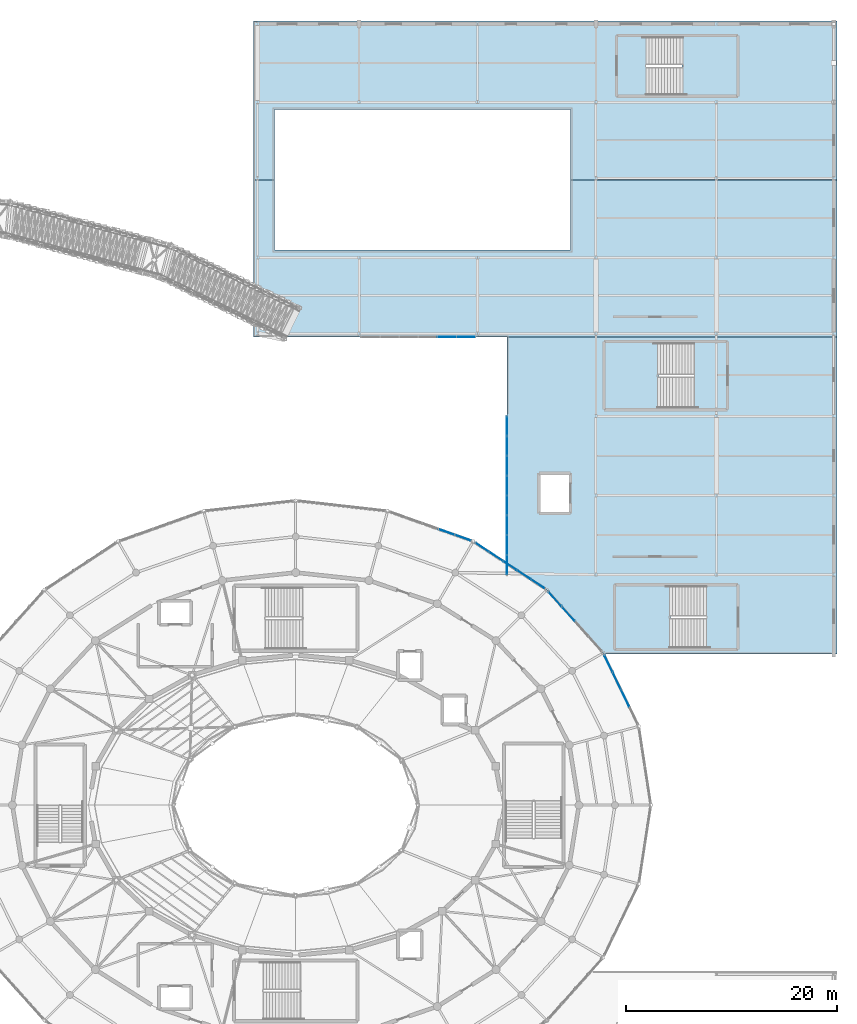
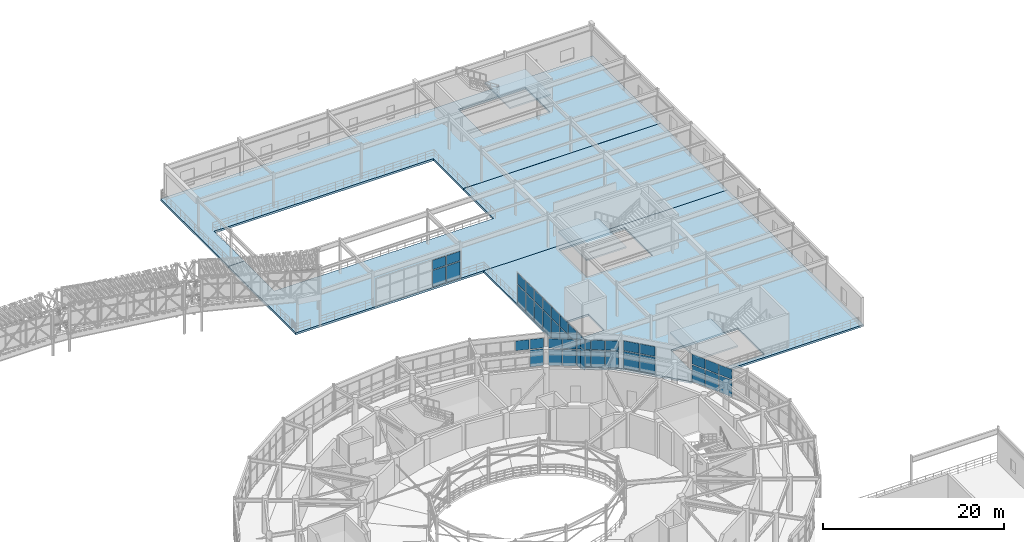
# One storey, part 91 of 144: 43 plates, 6 slabs, 10 elements without a shape of their own.
"""IFC4 building model written with IfcOpenShell, lengths in metres."""

from ifc_helpers import new_model, si_unit, direction, frame, origin, origin_2d, place, context, subcontext, project, spatial, polyline, rectangle, outline, extrude, material, layer, layer_set, type_object, element, aggregate, save


model = new_model("IFC4")

# Units and contexts
model_context = context("Model", 3, precision=1e-05, world=origin(), true_north=direction((0.0, 1.0)))
body_context = subcontext(model_context, "Body", "Model", "MODEL_VIEW")
ifc_project = project(units=[si_unit("LENGTHUNIT", "METRE"), si_unit("AREAUNIT", "SQUARE_METRE"), si_unit("VOLUMEUNIT", "CUBIC_METRE"), si_unit("PLANEANGLEUNIT", "RADIAN"), si_unit("MASSUNIT", "GRAM", prefix="KILO")], contexts=[model_context])

# Site, building, storey
site_placement = place(None, origin())
site = spatial("IfcSite", under=ifc_project, at=site_placement, CompositionType="ELEMENT")
building_placement = place(site_placement, origin())
building = spatial("IfcBuilding", under=site, at=building_placement, Name="Cinderbank Siding Concert Hall", CompositionType="ELEMENT")
storey_placement = place(building_placement, frame((0.0, 0.0, 5.39990234375)))
storey = spatial("IfcBuildingStorey", under=building, at=storey_placement, Name="L02", CompositionType="ELEMENT", Elevation=5.39990234375)

# Curtain wall, plates
ifc_material_1 = material(Name="Anodised aluminium alloy 6063-T6", Category="aluminium")
curtain_wall_type_1 = type_object("IfcCurtainWallType", Name="CW-02 Unitised Acoustic Curtain Wall 7800x4400", PredefinedType="NOTDEFINED", material=ifc_material_1)
curtain_wall_1_placement = place(storey_placement, origin())
curtain_wall_1 = element("IfcCurtainWall", 1, at=curtain_wall_1_placement, inside=storey, type_object=curtain_wall_type_1, Name="L02 Curtain Wall CW-02 #2", PredefinedType="NOTDEFINED")
ifc_material_2 = material(Name="Double-glazed laminated acoustic glass", Category="glass")
ifc_layer_1 = layer(ifc_material_2, 0.035888671875)
ifc_layer_set_1 = layer_set([ifc_layer_1], Name="Double-glazed laminated acoustic glass")
plate_type_1 = type_object("IfcPlateType", Name="CP-03 Glazed Curtain Panel 1600x2100", PredefinedType="CURTAIN_PANEL", material=ifc_layer_set_1)
plate_1_placement = place(storey_placement, frame((153.171630859375, 54.10986328125, 0.1201171875), z_axis=(0.0, 0.0, 1.0), x_axis=(-0.435102109714, 0.900381116041, 0.0)))
plate_1 = element("IfcPlate", 2, at=plate_1_placement, type_object=plate_type_1, Name="CW-L02-002 Glazed Panel 1-0", PredefinedType="CURTAIN_PANEL", context=body_context, shape_type="SweptSolid", body=[
    extrude(rectangle(XDim=1.715087890625, YDim=0.035888671875, at=origin_2d()), origin(), (0.0, 0.0, 1.0), 2.260986328125),
])
plate_2_placement = place(storey_placement, frame((153.171630859375, 54.10986328125, 2.5009765625), z_axis=(0.0, 0.0, 1.0), x_axis=(-0.435102109714, 0.900381116041, 0.0)))
plate_2 = element("IfcPlate", 3, at=plate_2_placement, type_object=plate_type_1, Name="CW-L02-002 Glazed Panel 1-1", PredefinedType="CURTAIN_PANEL", context=body_context, shape_type="SweptSolid", body=[
    extrude(rectangle(XDim=1.715087890625, YDim=0.035888671875, at=origin_2d()), origin(), (0.0, 0.0, 1.0), 1.316162109375),
])
plate_3_placement = place(storey_placement, frame((152.3818359375, 55.744140625, 0.1201171875), z_axis=(0.0, 0.0, 1.0), x_axis=(-0.435102109714, 0.900381116041, 0.0)))
plate_3 = element("IfcPlate", 4, at=plate_3_placement, type_object=plate_type_1, Name="CW-L02-002 Glazed Panel 2-0", PredefinedType="CURTAIN_PANEL", context=body_context, shape_type="SweptSolid", body=[
    extrude(rectangle(XDim=1.715087890625, YDim=0.035888671875, at=origin_2d()), origin(), (0.0, 0.0, 1.0), 2.260986328125),
])
plate_4_placement = place(storey_placement, frame((152.3818359375, 55.744140625, 2.5009765625), z_axis=(0.0, 0.0, 1.0), x_axis=(-0.435102109714, 0.900381116041, 0.0)))
plate_4 = element("IfcPlate", 5, at=plate_4_placement, type_object=plate_type_1, Name="CW-L02-002 Glazed Panel 2-1", PredefinedType="CURTAIN_PANEL", context=body_context, shape_type="SweptSolid", body=[
    extrude(rectangle(XDim=1.715087890625, YDim=0.035888671875, at=origin_2d()), origin(), (0.0, 0.0, 1.0), 1.316162109375),
])
plate_5_placement = place(storey_placement, frame((151.592041015625, 57.37841796875, 0.1201171875), z_axis=(0.0, 0.0, 1.0), x_axis=(-0.435102109714, 0.900381116041, 0.0)))
plate_5 = element("IfcPlate", 6, at=plate_5_placement, type_object=plate_type_1, Name="CW-L02-002 Glazed Panel 3-0", PredefinedType="CURTAIN_PANEL", context=body_context, shape_type="SweptSolid", body=[
    extrude(rectangle(XDim=1.715087890625, YDim=0.035888671875, at=origin_2d()), origin(), (0.0, 0.0, 1.0), 2.260986328125),
])
plate_6_placement = place(storey_placement, frame((151.592041015625, 57.37841796875, 2.5009765625), z_axis=(0.0, 0.0, 1.0), x_axis=(-0.435102109714, 0.900381116041, 0.0)))
plate_6 = element("IfcPlate", 7, at=plate_6_placement, type_object=plate_type_1, Name="CW-L02-002 Glazed Panel 3-1", PredefinedType="CURTAIN_PANEL", context=body_context, shape_type="SweptSolid", body=[
    extrude(rectangle(XDim=1.715087890625, YDim=0.035888671875, at=origin_2d()), origin(), (0.0, 0.0, 1.0), 1.316162109375),
])
aggregate(curtain_wall_1, [plate_1, plate_2, plate_3, plate_4, plate_5, plate_6])

curtain_wall_type_2 = type_object("IfcCurtainWallType", Name="CW-16 Unitised Acoustic Curtain Wall 9200x3800", PredefinedType="NOTDEFINED", material=ifc_material_1)
curtain_wall_2_placement = place(storey_placement, origin())
curtain_wall_2 = element("IfcCurtainWall", 8, at=curtain_wall_2_placement, inside=storey, type_object=curtain_wall_type_2, Name="L02 Curtain Wall CW-16 #146", PredefinedType="NOTDEFINED")
plate_7_placement = place(storey_placement, frame((142.0, 66.737548828125, 0.1201171875), z_axis=(0.0, 0.0, 1.0), x_axis=(0.0, 1.0, 0.0)))
plate_7 = element("IfcPlate", 9, at=plate_7_placement, type_object=plate_type_1, Name="CW-L02-146 Glazed Panel 0-0", PredefinedType="CURTAIN_PANEL", context=body_context, shape_type="SweptSolid", body=[
    extrude(rectangle(XDim=1.77490234375, YDim=0.035888671875, at=origin_2d()), origin(), (0.0, 0.0, 1.0), 2.548095703125),
])
plate_8_placement = place(storey_placement, frame((142.0, 66.737548828125, 2.7880859375), z_axis=(0.0, 0.0, 1.0), x_axis=(0.0, 1.0, 0.0)))
plate_8 = element("IfcPlate", 10, at=plate_8_placement, type_object=plate_type_1, Name="CW-L02-146 Glazed Panel 0-1", PredefinedType="CURTAIN_PANEL", context=body_context, shape_type="SweptSolid", body=[
    extrude(rectangle(XDim=1.77490234375, YDim=0.035888671875, at=origin_2d()), origin(), (0.0, 0.0, 1.0), 1.491943359375),
])
plate_9_placement = place(storey_placement, frame((142.0, 68.612548828125, 0.1201171875), z_axis=(0.0, 0.0, 1.0), x_axis=(0.0, 1.0, 0.0)))
plate_9 = element("IfcPlate", 11, at=plate_9_placement, type_object=plate_type_1, Name="CW-L02-146 Glazed Panel 1-0", PredefinedType="CURTAIN_PANEL", context=body_context, shape_type="SweptSolid", body=[
    extrude(rectangle(XDim=1.77490234375, YDim=0.035888671875, at=origin_2d()), origin(), (0.0, 0.0, 1.0), 2.548095703125),
])
plate_10_placement = place(storey_placement, frame((142.0, 68.612548828125, 2.7880859375), z_axis=(0.0, 0.0, 1.0), x_axis=(0.0, 1.0, 0.0)))
plate_10 = element("IfcPlate", 12, at=plate_10_placement, type_object=plate_type_1, Name="CW-L02-146 Glazed Panel 1-1", PredefinedType="CURTAIN_PANEL", context=body_context, shape_type="SweptSolid", body=[
    extrude(rectangle(XDim=1.77490234375, YDim=0.035888671875, at=origin_2d()), origin(), (0.0, 0.0, 1.0), 1.491943359375),
])
plate_11_placement = place(storey_placement, frame((142.0, 70.487548828125, 0.1201171875), z_axis=(0.0, 0.0, 1.0), x_axis=(0.0, 1.0, 0.0)))
plate_11 = element("IfcPlate", 13, at=plate_11_placement, type_object=plate_type_1, Name="CW-L02-146 Glazed Panel 2-0", PredefinedType="CURTAIN_PANEL", context=body_context, shape_type="SweptSolid", body=[
    extrude(rectangle(XDim=1.77490234375, YDim=0.035888671875, at=origin_2d()), origin(), (0.0, 0.0, 1.0), 2.548095703125),
])
plate_12_placement = place(storey_placement, frame((142.0, 70.487548828125, 2.7880859375), z_axis=(0.0, 0.0, 1.0), x_axis=(0.0, 1.0, 0.0)))
plate_12 = element("IfcPlate", 14, at=plate_12_placement, type_object=plate_type_1, Name="CW-L02-146 Glazed Panel 2-1", PredefinedType="CURTAIN_PANEL", context=body_context, shape_type="SweptSolid", body=[
    extrude(rectangle(XDim=1.77490234375, YDim=0.035888671875, at=origin_2d()), origin(), (0.0, 0.0, 1.0), 1.491943359375),
])
plate_13_placement = place(storey_placement, frame((142.0, 72.362548828125, 0.1201171875), z_axis=(0.0, 0.0, 1.0), x_axis=(0.0, 1.0, 0.0)))
plate_13 = element("IfcPlate", 15, at=plate_13_placement, type_object=plate_type_1, Name="CW-L02-146 Glazed Panel 3-0", PredefinedType="CURTAIN_PANEL", context=body_context, shape_type="SweptSolid", body=[
    extrude(rectangle(XDim=1.77490234375, YDim=0.035888671875, at=origin_2d()), origin(), (0.0, 0.0, 1.0), 2.548095703125),
])
plate_14_placement = place(storey_placement, frame((142.0, 72.362548828125, 2.7880859375), z_axis=(0.0, 0.0, 1.0), x_axis=(0.0, 1.0, 0.0)))
plate_14 = element("IfcPlate", 16, at=plate_14_placement, type_object=plate_type_1, Name="CW-L02-146 Glazed Panel 3-1", PredefinedType="CURTAIN_PANEL", context=body_context, shape_type="SweptSolid", body=[
    extrude(rectangle(XDim=1.77490234375, YDim=0.035888671875, at=origin_2d()), origin(), (0.0, 0.0, 1.0), 1.491943359375),
])
aggregate(curtain_wall_2, [plate_7, plate_8, plate_9, plate_10, plate_11, plate_12, plate_13, plate_14])

curtain_wall_type_3 = type_object("IfcCurtainWallType", Name="CW-03 Unitised Acoustic Curtain Wall 7400x4400", PredefinedType="NOTDEFINED", material=ifc_material_1)
curtain_wall_3_placement = place(storey_placement, origin())
curtain_wall_3 = element("IfcCurtainWall", 17, at=curtain_wall_3_placement, inside=storey, type_object=curtain_wall_type_3, Name="L02 Curtain Wall CW-03 #3", PredefinedType="NOTDEFINED")
ifc_layer_2 = layer(ifc_material_2, 0.031982421875)
ifc_layer_set_2 = layer_set([ifc_layer_2], Name="Double-glazed laminated acoustic glass")
plate_type_2 = type_object("IfcPlateType", Name="CP-04 Glazed Curtain Panel 1400x2000", PredefinedType="CURTAIN_PANEL", material=ifc_layer_set_2)
plate_15_placement = place(storey_placement, frame((147.799072265625, 62.085693359375, 0.1201171875), z_axis=(0.0, 0.0, 1.0), x_axis=(-0.666993465338, 0.745063565877, 0.0)))
plate_15 = element("IfcPlate", 18, at=plate_15_placement, type_object=plate_type_2, Name="CW-L02-003 Glazed Panel 2-0", PredefinedType="CURTAIN_PANEL", context=body_context, shape_type="SweptSolid", body=[
    extrude(rectangle(XDim=1.787841796875, YDim=0.035888671875, at=origin_2d()), origin(), (0.0, 0.0, 1.0), 2.260986328125),
])
plate_16_placement = place(storey_placement, frame((147.799072265625, 62.085693359375, 2.5009765625), z_axis=(0.0, 0.0, 1.0), x_axis=(-0.666993465338, 0.745063565877, 0.0)))
plate_16 = element("IfcPlate", 19, at=plate_16_placement, type_object=plate_type_2, Name="CW-L02-003 Glazed Panel 2-1", PredefinedType="CURTAIN_PANEL", context=body_context, shape_type="SweptSolid", body=[
    extrude(rectangle(XDim=1.787841796875, YDim=0.035888671875, at=origin_2d()), origin(), (0.0, 0.0, 1.0), 1.316162109375),
])
plate_17_placement = place(storey_placement, frame((146.539794921875, 63.4921875, 0.1201171875), z_axis=(0.0, 0.0, 1.0), x_axis=(-0.666993465338, 0.745063565877, 0.0)))
plate_17 = element("IfcPlate", 20, at=plate_17_placement, type_object=plate_type_2, Name="CW-L02-003 Glazed Panel 3-0", PredefinedType="CURTAIN_PANEL", context=body_context, shape_type="SweptSolid", body=[
    extrude(rectangle(XDim=1.787841796875, YDim=0.035888671875, at=origin_2d()), origin(), (0.0, 0.0, 1.0), 2.260986328125),
])
plate_18_placement = place(storey_placement, frame((146.539794921875, 63.4921875, 2.5009765625), z_axis=(0.0, 0.0, 1.0), x_axis=(-0.666993465338, 0.745063565877, 0.0)))
plate_18 = element("IfcPlate", 21, at=plate_18_placement, type_object=plate_type_2, Name="CW-L02-003 Glazed Panel 3-1", PredefinedType="CURTAIN_PANEL", context=body_context, shape_type="SweptSolid", body=[
    extrude(rectangle(XDim=1.787841796875, YDim=0.035888671875, at=origin_2d()), origin(), (0.0, 0.0, 1.0), 1.316162109375),
])
aggregate(curtain_wall_3, [plate_15, plate_16, plate_17, plate_18])

curtain_wall_4_placement = place(storey_placement, origin())
curtain_wall_4 = element("IfcCurtainWall", 22, at=curtain_wall_4_placement, inside=storey, type_object=curtain_wall_type_2, Name="L02 Curtain Wall CW-16 #147", PredefinedType="NOTDEFINED")
plate_19_placement = place(storey_placement, frame((142.0, 74.237548828125, 0.1201171875), z_axis=(0.0, 0.0, 1.0), x_axis=(0.0, 1.0, 0.0)))
plate_19 = element("IfcPlate", 23, at=plate_19_placement, type_object=plate_type_2, Name="CW-L02-147 Glazed Panel 0-0", PredefinedType="CURTAIN_PANEL", context=body_context, shape_type="SweptSolid", body=[
    extrude(rectangle(XDim=1.77490234375, YDim=0.035888671875, at=origin_2d()), origin(), (0.0, 0.0, 1.0), 2.548095703125),
])
plate_20_placement = place(storey_placement, frame((142.0, 74.237548828125, 2.7880859375), z_axis=(0.0, 0.0, 1.0), x_axis=(0.0, 1.0, 0.0)))
plate_20 = element("IfcPlate", 24, at=plate_20_placement, type_object=plate_type_2, Name="CW-L02-147 Glazed Panel 0-1", PredefinedType="CURTAIN_PANEL", context=body_context, shape_type="SweptSolid", body=[
    extrude(rectangle(XDim=1.77490234375, YDim=0.035888671875, at=origin_2d()), origin(), (0.0, 0.0, 1.0), 1.491943359375),
])
plate_21_placement = place(storey_placement, frame((142.0, 76.112548828125, 0.1201171875), z_axis=(0.0, 0.0, 1.0), x_axis=(0.0, 1.0, 0.0)))
plate_21 = element("IfcPlate", 25, at=plate_21_placement, type_object=plate_type_2, Name="CW-L02-147 Glazed Panel 1-0", PredefinedType="CURTAIN_PANEL", context=body_context, shape_type="SweptSolid", body=[
    extrude(rectangle(XDim=1.77490234375, YDim=0.035888671875, at=origin_2d()), origin(), (0.0, 0.0, 1.0), 2.548095703125),
])
plate_22_placement = place(storey_placement, frame((142.0, 76.112548828125, 2.7880859375), z_axis=(0.0, 0.0, 1.0), x_axis=(0.0, 1.0, 0.0)))
plate_22 = element("IfcPlate", 26, at=plate_22_placement, type_object=plate_type_2, Name="CW-L02-147 Glazed Panel 1-1", PredefinedType="CURTAIN_PANEL", context=body_context, shape_type="SweptSolid", body=[
    extrude(rectangle(XDim=1.77490234375, YDim=0.035888671875, at=origin_2d()), origin(), (0.0, 0.0, 1.0), 1.491943359375),
])
plate_23_placement = place(storey_placement, frame((142.0, 77.987548828125, 0.1201171875), z_axis=(0.0, 0.0, 1.0), x_axis=(0.0, 1.0, 0.0)))
plate_23 = element("IfcPlate", 27, at=plate_23_placement, type_object=plate_type_2, Name="CW-L02-147 Glazed Panel 2-0", PredefinedType="CURTAIN_PANEL", context=body_context, shape_type="SweptSolid", body=[
    extrude(rectangle(XDim=1.77490234375, YDim=0.035888671875, at=origin_2d()), origin(), (0.0, 0.0, 1.0), 2.548095703125),
])
plate_24_placement = place(storey_placement, frame((142.0, 77.987548828125, 2.7880859375), z_axis=(0.0, 0.0, 1.0), x_axis=(0.0, 1.0, 0.0)))
plate_24 = element("IfcPlate", 28, at=plate_24_placement, type_object=plate_type_2, Name="CW-L02-147 Glazed Panel 2-1", PredefinedType="CURTAIN_PANEL", context=body_context, shape_type="SweptSolid", body=[
    extrude(rectangle(XDim=1.77490234375, YDim=0.035888671875, at=origin_2d()), origin(), (0.0, 0.0, 1.0), 1.491943359375),
])
plate_25_placement = place(storey_placement, frame((142.0, 79.862548828125, 0.1201171875), z_axis=(0.0, 0.0, 1.0), x_axis=(0.0, 1.0, 0.0)))
plate_25 = element("IfcPlate", 29, at=plate_25_placement, type_object=plate_type_2, Name="CW-L02-147 Glazed Panel 3-0", PredefinedType="CURTAIN_PANEL", context=body_context, shape_type="SweptSolid", body=[
    extrude(rectangle(XDim=1.77490234375, YDim=0.035888671875, at=origin_2d()), origin(), (0.0, 0.0, 1.0), 2.548095703125),
])
plate_26_placement = place(storey_placement, frame((142.0, 79.862548828125, 2.7880859375), z_axis=(0.0, 0.0, 1.0), x_axis=(0.0, 1.0, 0.0)))
plate_26 = element("IfcPlate", 30, at=plate_26_placement, type_object=plate_type_2, Name="CW-L02-147 Glazed Panel 3-1", PredefinedType="CURTAIN_PANEL", context=body_context, shape_type="SweptSolid", body=[
    extrude(rectangle(XDim=1.77490234375, YDim=0.035888671875, at=origin_2d()), origin(), (0.0, 0.0, 1.0), 1.491943359375),
])
aggregate(curtain_wall_4, [plate_19, plate_20, plate_21, plate_22, plate_23, plate_24, plate_25, plate_26])

curtain_wall_type_4 = type_object("IfcCurtainWallType", Name="CW-04 Unitised Acoustic Curtain Wall 7000x4400", PredefinedType="NOTDEFINED", material=ifc_material_1)
curtain_wall_5_placement = place(storey_placement, origin())
curtain_wall_5 = element("IfcCurtainWall", 31, at=curtain_wall_5_placement, inside=storey, type_object=curtain_wall_type_4, Name="L02 Curtain Wall CW-04 #4", PredefinedType="NOTDEFINED")
ifc_layer_3 = layer(ifc_material_2, 0.031982421875)
ifc_layer_set_3 = layer_set([ifc_layer_3], Name="Double-glazed laminated acoustic glass")
plate_type_3 = type_object("IfcPlateType", Name="CP-05 Glazed Curtain Panel 1200x1800", PredefinedType="CURTAIN_PANEL", material=ifc_layer_set_3)
plate_27_placement = place(storey_placement, frame((144.9111328125, 64.922119140625, 0.1201171875), z_axis=(0.0, 0.0, 1.0), x_axis=(-0.835491932304, 0.549502712509, 0.0)))
plate_27 = element("IfcPlate", 32, at=plate_27_placement, type_object=plate_type_3, Name="CW-L02-004 Glazed Panel 0-0", PredefinedType="CURTAIN_PANEL", context=body_context, shape_type="SweptSolid", body=[
    extrude(rectangle(XDim=1.47509765625, YDim=0.035888671875, at=origin_2d()), origin(), (0.0, 0.0, 1.0), 2.198974609375),
])
plate_28_placement = place(storey_placement, frame((144.9111328125, 64.922119140625, 2.43896484375), z_axis=(0.0, 0.0, 1.0), x_axis=(-0.835491932304, 0.549502712509, 0.0)))
plate_28 = element("IfcPlate", 33, at=plate_28_placement, type_object=plate_type_3, Name="CW-L02-004 Glazed Panel 0-1", PredefinedType="CURTAIN_PANEL", context=body_context, shape_type="SweptSolid", body=[
    extrude(rectangle(XDim=1.47509765625, YDim=0.035888671875, at=origin_2d()), origin(), (0.0, 0.0, 1.0), 1.278076171875),
])
plate_29_placement = place(storey_placement, frame((143.59521484375, 65.78759765625, 0.1201171875), z_axis=(0.0, 0.0, 1.0), x_axis=(-0.835491932304, 0.549502712509, 0.0)))
plate_29 = element("IfcPlate", 34, at=plate_29_placement, type_object=plate_type_3, Name="CW-L02-004 Glazed Panel 1-0", PredefinedType="CURTAIN_PANEL", context=body_context, shape_type="SweptSolid", body=[
    extrude(rectangle(XDim=1.47509765625, YDim=0.035888671875, at=origin_2d()), origin(), (0.0, 0.0, 1.0), 2.198974609375),
])
plate_30_placement = place(storey_placement, frame((143.59521484375, 65.78759765625, 2.43896484375), z_axis=(0.0, 0.0, 1.0), x_axis=(-0.835491932304, 0.549502712509, 0.0)))
plate_30 = element("IfcPlate", 35, at=plate_30_placement, type_object=plate_type_3, Name="CW-L02-004 Glazed Panel 1-1", PredefinedType="CURTAIN_PANEL", context=body_context, shape_type="SweptSolid", body=[
    extrude(rectangle(XDim=1.47509765625, YDim=0.035888671875, at=origin_2d()), origin(), (0.0, 0.0, 1.0), 1.278076171875),
])
plate_31_placement = place(storey_placement, frame((142.279296875, 66.653076171875, 0.1201171875), z_axis=(0.0, 0.0, 1.0), x_axis=(-0.835491932304, 0.549502712509, 0.0)))
plate_31 = element("IfcPlate", 36, at=plate_31_placement, type_object=plate_type_3, Name="CW-L02-004 Glazed Panel 2-0", PredefinedType="CURTAIN_PANEL", context=body_context, shape_type="SweptSolid", body=[
    extrude(rectangle(XDim=1.47509765625, YDim=0.035888671875, at=origin_2d()), origin(), (0.0, 0.0, 1.0), 2.198974609375),
])
plate_32_placement = place(storey_placement, frame((142.279296875, 66.653076171875, 2.43896484375), z_axis=(0.0, 0.0, 1.0), x_axis=(-0.835491932304, 0.549502712509, 0.0)))
plate_32 = element("IfcPlate", 37, at=plate_32_placement, type_object=plate_type_3, Name="CW-L02-004 Glazed Panel 2-1", PredefinedType="CURTAIN_PANEL", context=body_context, shape_type="SweptSolid", body=[
    extrude(rectangle(XDim=1.47509765625, YDim=0.035888671875, at=origin_2d()), origin(), (0.0, 0.0, 1.0), 1.278076171875),
])
plate_33_placement = place(storey_placement, frame((140.96337890625, 67.5185546875, 0.1201171875), z_axis=(0.0, 0.0, 1.0), x_axis=(-0.835491932304, 0.549502712509, 0.0)))
plate_33 = element("IfcPlate", 38, at=plate_33_placement, type_object=plate_type_3, Name="CW-L02-004 Glazed Panel 3-0", PredefinedType="CURTAIN_PANEL", context=body_context, shape_type="SweptSolid", body=[
    extrude(rectangle(XDim=1.47509765625, YDim=0.035888671875, at=origin_2d()), origin(), (0.0, 0.0, 1.0), 2.198974609375),
])
plate_34_placement = place(storey_placement, frame((140.96337890625, 67.5185546875, 2.43896484375), z_axis=(0.0, 0.0, 1.0), x_axis=(-0.835491932304, 0.549502712509, 0.0)))
plate_34 = element("IfcPlate", 39, at=plate_34_placement, type_object=plate_type_3, Name="CW-L02-004 Glazed Panel 3-1", PredefinedType="CURTAIN_PANEL", context=body_context, shape_type="SweptSolid", body=[
    extrude(rectangle(XDim=1.47509765625, YDim=0.035888671875, at=origin_2d()), origin(), (0.0, 0.0, 1.0), 1.278076171875),
])
plate_35_placement = place(storey_placement, frame((139.647705078125, 68.384033203125, 0.1201171875), z_axis=(0.0, 0.0, 1.0), x_axis=(-0.835491932304, 0.549502712509, 0.0)))
plate_35 = element("IfcPlate", 40, at=plate_35_placement, type_object=plate_type_3, Name="CW-L02-004 Glazed Panel 4-0", PredefinedType="CURTAIN_PANEL", context=body_context, shape_type="SweptSolid", body=[
    extrude(rectangle(XDim=1.47509765625, YDim=0.035888671875, at=origin_2d()), origin(), (0.0, 0.0, 1.0), 2.198974609375),
])
plate_36_placement = place(storey_placement, frame((139.647705078125, 68.384033203125, 2.43896484375), z_axis=(0.0, 0.0, 1.0), x_axis=(-0.835491932304, 0.549502712509, 0.0)))
plate_36 = element("IfcPlate", 41, at=plate_36_placement, type_object=plate_type_3, Name="CW-L02-004 Glazed Panel 4-1", PredefinedType="CURTAIN_PANEL", context=body_context, shape_type="SweptSolid", body=[
    extrude(rectangle(XDim=1.47509765625, YDim=0.035888671875, at=origin_2d()), origin(), (0.0, 0.0, 1.0), 1.278076171875),
])
aggregate(curtain_wall_5, [plate_27, plate_28, plate_29, plate_30, plate_31, plate_32, plate_33, plate_34, plate_35, plate_36])

curtain_wall_type_5 = type_object("IfcCurtainWallType", Name="CW-05 Unitised Acoustic Curtain Wall 8200x3800", PredefinedType="NOTDEFINED", material=ifc_material_1)
curtain_wall_6_placement = place(storey_placement, origin())
curtain_wall_6 = element("IfcCurtainWall", 42, at=curtain_wall_6_placement, inside=storey, type_object=curtain_wall_type_5, Name="L02 Curtain Wall CW-05 #5", PredefinedType="NOTDEFINED")
ifc_layer_4 = layer(ifc_material_2, 0.0380859375)
ifc_layer_set_4 = layer_set([ifc_layer_4], Name="Double-glazed laminated acoustic glass")
plate_type_4 = type_object("IfcPlateType", Name="CP-06 Glazed Curtain Panel 2100x1600", PredefinedType="CURTAIN_PANEL", material=ifc_layer_set_4)
plate_37_placement = place(storey_placement, frame((137.818603515625, 69.2900390625, 0.1201171875), z_axis=(0.0, 0.0, 1.0), x_axis=(-0.942365662238, 0.334584755532, 0.0)))
plate_37 = element("IfcPlate", 43, at=plate_37_placement, type_object=plate_type_4, Name="CW-L02-005 Glazed Panel 0-0", PredefinedType="CURTAIN_PANEL", context=body_context, shape_type="SweptSolid", body=[
    extrude(rectangle(XDim=1.529052734375, YDim=0.035888671875, at=origin_2d()), origin(), (0.0, 0.0, 1.0), 2.260986328125),
])
plate_38_placement = place(storey_placement, frame((137.818603515625, 69.2900390625, 2.5009765625), z_axis=(0.0, 0.0, 1.0), x_axis=(-0.942365662238, 0.334584755532, 0.0)))
plate_38 = element("IfcPlate", 44, at=plate_38_placement, type_object=plate_type_4, Name="CW-L02-005 Glazed Panel 0-1", PredefinedType="CURTAIN_PANEL", context=body_context, shape_type="SweptSolid", body=[
    extrude(rectangle(XDim=1.529052734375, YDim=0.035888671875, at=origin_2d()), origin(), (0.0, 0.0, 1.0), 1.316162109375),
])
plate_39_placement = place(storey_placement, frame((136.283203125, 69.8349609375, 2.5009765625), z_axis=(0.0, 0.0, 1.0), x_axis=(-0.942365662238, 0.334584755532, 0.0)))
plate_39 = element("IfcPlate", 45, at=plate_39_placement, type_object=plate_type_4, Name="CW-L02-005 Glazed Panel 1-1", PredefinedType="CURTAIN_PANEL", context=body_context, shape_type="SweptSolid", body=[
    extrude(rectangle(XDim=1.529052734375, YDim=0.035888671875, at=origin_2d()), origin(), (0.0, 0.0, 1.0), 1.316162109375),
])
aggregate(curtain_wall_6, [plate_37, plate_38, plate_39])

curtain_wall_7_placement = place(storey_placement, origin())
curtain_wall_7 = element("IfcCurtainWall", 46, at=curtain_wall_7_placement, inside=storey, type_object=curtain_wall_type_2, Name="L02 Curtain Wall CW-16 #151", PredefinedType="NOTDEFINED")
ifc_layer_5 = layer(ifc_material_2, 0.033935546875)
ifc_layer_set_5 = layer_set([ifc_layer_5], Name="Double-glazed laminated acoustic glass")
plate_type_5 = type_object("IfcPlateType", Name="CP-08 Glazed Curtain Panel 1700x1550", PredefinedType="CURTAIN_PANEL", material=ifc_layer_set_5)
plate_40_placement = place(storey_placement, frame((136.303466796875, 88.300048828125, 0.1201171875), z_axis=(0.0, 0.0, 1.0), x_axis=(1.0, 0.0, 0.0)))
plate_40 = element("IfcPlate", 47, at=plate_40_placement, type_object=plate_type_5, Name="CW-L02-151 Glazed Panel 4-0", PredefinedType="CURTAIN_PANEL", context=body_context, shape_type="SweptSolid", body=[
    extrude(rectangle(XDim=1.702392578125, YDim=0.035888671875, at=origin_2d()), origin(), (0.0, 0.0, 1.0), 2.192626953125),
])
plate_41_placement = place(storey_placement, frame((136.303466796875, 88.300048828125, 2.432861328125), z_axis=(0.0, 0.0, 1.0), x_axis=(1.0, 0.0, 0.0)))
plate_41 = element("IfcPlate", 48, at=plate_41_placement, type_object=plate_type_5, Name="CW-L02-151 Glazed Panel 4-1", PredefinedType="CURTAIN_PANEL", context=body_context, shape_type="SweptSolid", body=[
    extrude(rectangle(XDim=1.702392578125, YDim=0.035888671875, at=origin_2d()), origin(), (0.0, 0.0, 1.0), 1.2744140625),
])
plate_42_placement = place(storey_placement, frame((138.105712890625, 88.300048828125, 0.1201171875), z_axis=(0.0, 0.0, 1.0), x_axis=(1.0, 0.0, 0.0)))
plate_42 = element("IfcPlate", 49, at=plate_42_placement, type_object=plate_type_5, Name="CW-L02-151 Glazed Panel 5-0", PredefinedType="CURTAIN_PANEL", context=body_context, shape_type="SweptSolid", body=[
    extrude(rectangle(XDim=1.702392578125, YDim=0.035888671875, at=origin_2d()), origin(), (0.0, 0.0, 1.0), 2.192626953125),
])
plate_43_placement = place(storey_placement, frame((138.105712890625, 88.300048828125, 2.432861328125), z_axis=(0.0, 0.0, 1.0), x_axis=(1.0, 0.0, 0.0)))
plate_43 = element("IfcPlate", 50, at=plate_43_placement, type_object=plate_type_5, Name="CW-L02-151 Glazed Panel 5-1", PredefinedType="CURTAIN_PANEL", context=body_context, shape_type="SweptSolid", body=[
    extrude(rectangle(XDim=1.702392578125, YDim=0.035888671875, at=origin_2d()), origin(), (0.0, 0.0, 1.0), 1.2744140625),
])
aggregate(curtain_wall_7, [plate_40, plate_41, plate_42, plate_43])

# Stair, slab
ifc_material_3 = material(Name="Reinforced concrete AS 3600 N50 (50 MPa)", Category="concrete")
stair_type_1 = type_object("IfcStairType", Name="STR-A Dogleg Exit Stair 2650mm", PredefinedType="HALF_TURN_STAIR", material=ifc_material_3)
stair_1_placement = place(storey_placement, origin())
stair_1 = element("IfcStair", 51, at=stair_1_placement, inside=storey, type_object=stair_type_1, Name="L02 Orchestral Pavilion Exit Stair ST-07", PredefinedType="HALF_TURN_STAIR")
ifc_layer_6 = layer(ifc_material_3, 0.199951171875)
ifc_layer_set_6 = layer_set([ifc_layer_6], Name="Reinforced concrete AS 3600 N50 (50 MPa)")
slab_type_1 = type_object("IfcSlabType", Name="LD-02 Slab 200mm", PredefinedType="LANDING", material=ifc_layer_set_6)
slab_1_placement = place(storey_placement, frame((0.0, 0.0, 2.2001953125)))
slab_1 = element("IfcSlab", 52, at=slab_1_placement, type_object=slab_type_1, Name="ST-07 landing 1", PredefinedType="LANDING", context=body_context, shape_type="SweptSolid", body=[
    extrude(outline(polyline([(158.550048828125, 111.1201171875), (158.550048828125, 116.739990234375), (163.780029296875, 116.739990234375), (163.780029296875, 111.1201171875), (158.550048828125, 111.1201171875)])), origin(), (0.0, 0.0, 1.0), 0.199951171875),
])
aggregate(stair_1, [slab_1])

stair_type_2 = type_object("IfcStairType", Name="STR-I Dogleg Exit Stair 3000mm", PredefinedType="HALF_TURN_STAIR", material=ifc_material_3)
stair_2_placement = place(storey_placement, origin())
stair_2 = element("IfcStair", 53, at=stair_2_placement, inside=storey, type_object=stair_type_2, Name="L02 East Link Exit Stair ST-11", PredefinedType="HALF_TURN_STAIR")
slab_2_placement = place(storey_placement, frame((0.0, 0.0, 2.2001953125)))
slab_2 = element("IfcSlab", 54, at=slab_2_placement, type_object=slab_type_1, Name="ST-11 landing 1", PredefinedType="LANDING", context=body_context, shape_type="SweptSolid", body=[
    extrude(outline(polyline([(156.300048828125, 87.7900390625), (156.300048828125, 81.469970703125), (151.219970703125, 81.469970703125), (151.219970703125, 87.7900390625), (156.300048828125, 87.7900390625)])), origin(), (0.0, 0.0, 1.0), 0.199951171875),
])
aggregate(stair_2, [slab_2])

stair_type_3 = type_object("IfcStairType", Name="STR-J Dogleg Exit Stair 2850mm", PredefinedType="HALF_TURN_STAIR", material=ifc_material_3)
stair_3_placement = place(storey_placement, origin())
stair_3 = element("IfcStair", 55, at=stair_3_placement, inside=storey, type_object=stair_type_3, Name="L02 East Link South Exit Stair ST-12", PredefinedType="HALF_TURN_STAIR")
slab_3_placement = place(storey_placement, frame((0.0, 0.0, 2.2001953125)))
slab_3 = element("IfcSlab", 56, at=slab_3_placement, type_object=slab_type_1, Name="ST-12 landing 1", PredefinedType="LANDING", context=body_context, shape_type="SweptSolid", body=[
    extrude(outline(polyline([(157.449951171875, 64.7900390625), (157.449951171875, 58.77001953125), (152.219970703125, 58.77001953125), (152.219970703125, 64.7900390625), (157.449951171875, 64.7900390625)])), origin(), (0.0, 0.0, 1.0), 0.199951171875),
])
aggregate(stair_3, [slab_3])

# Slabs
ifc_layer_7 = layer(ifc_material_3, 0.280029296875)
ifc_layer_set_7 = layer_set([ifc_layer_7], Name="Reinforced concrete AS 3600 N50 (50 MPa)")
slab_type_2 = type_object("IfcSlabType", Name="SL-02 Slab 280mm", PredefinedType="FLOOR", material=ifc_layer_set_7)
slab_4_placement = place(storey_placement, frame((0.0, 0.0, -0.27978515625)))
element("IfcSlab", 57, at=slab_4_placement, inside=storey, type_object=slab_type_2, Name="L02 Orchestral Gallery Slab North", PredefinedType="FLOOR", context=body_context, shape_type="SweptSolid", body=[
    extrude(outline(polyline([(173.199951171875, 118.199951171875), (173.199951171875, 103.156005859375), (148.0, 103.156005859375), (148.0, 109.800048828125), (120.0, 109.800048828125), (120.0, 103.156005859375), (118.0, 103.156005859375), (118.0, 118.199951171875), (173.199951171875, 118.199951171875)]), holes=[polyline([(155.14990234375, 111.199951171875), (163.699951171875, 111.199951171875), (163.699951171875, 116.659912109375), (155.14990234375, 116.659912109375), (155.14990234375, 111.199951171875)])]), origin(), (0.0, 0.0, 1.0), 0.27978515625),
])
slab_5_placement = place(storey_placement, frame((0.0, 0.0, -0.27978515625)))
element("IfcSlab", 58, at=slab_5_placement, inside=storey, type_object=slab_type_2, Name="L02 Orchestral Gallery Slab South", PredefinedType="FLOOR", context=body_context, shape_type="SweptSolid", body=[
    extrude(outline(polyline([(173.199951171875, 88.300048828125), (118.0, 88.300048828125), (118.0, 103.14404296875), (120.0, 103.14404296875), (120.0, 96.5), (148.0, 96.5), (148.0, 103.14404296875), (173.199951171875, 103.14404296875), (173.199951171875, 88.300048828125)])), origin(), (0.0, 0.0, 1.0), 0.27978515625),
])
ifc_layer_8 = layer(ifc_material_3, 0.260009765625)
ifc_layer_set_8 = layer_set([ifc_layer_8], Name="Reinforced concrete AS 3600 N50 (50 MPa)")
slab_type_3 = type_object("IfcSlabType", Name="SL-03 Slab 260mm", PredefinedType="FLOOR", material=ifc_layer_set_8)
slab_6_placement = place(storey_placement, frame((0.0, 0.0, -0.260009765625)))
element("IfcSlab", 59, at=slab_6_placement, inside=storey, type_object=slab_type_3, Name="L02 EL Slab", PredefinedType="FLOOR", context=body_context, shape_type="SweptSolid", body=[
    extrude(outline(polyline([(173.199951171875, 88.300048828125), (173.199951171875, 58.300048828125), (151.146728515625, 58.300048828125), (151.098388671875, 58.39990234375), (145.7587890625, 64.36474609375), (142.0, 66.8369140625), (142.0, 88.300048828125), (173.199951171875, 88.300048828125)]), holes=[polyline([(159.699951171875, 87.7099609375), (151.300048828125, 87.7099609375), (151.300048828125, 81.550048828125), (159.699951171875, 81.550048828125), (159.699951171875, 87.7099609375)]), polyline([(160.85009765625, 64.7099609375), (152.300048828125, 64.7099609375), (152.300048828125, 58.85009765625), (160.85009765625, 58.85009765625), (160.85009765625, 64.7099609375)]), polyline([(145.139892578125, 71.739990234375), (147.860107421875, 71.739990234375), (147.860107421875, 75.260009765625), (145.139892578125, 75.260009765625), (145.139892578125, 71.739990234375)])]), origin(), (0.0, 0.0, 1.0), 0.260009765625),
])

save(model, "model.ifc")
